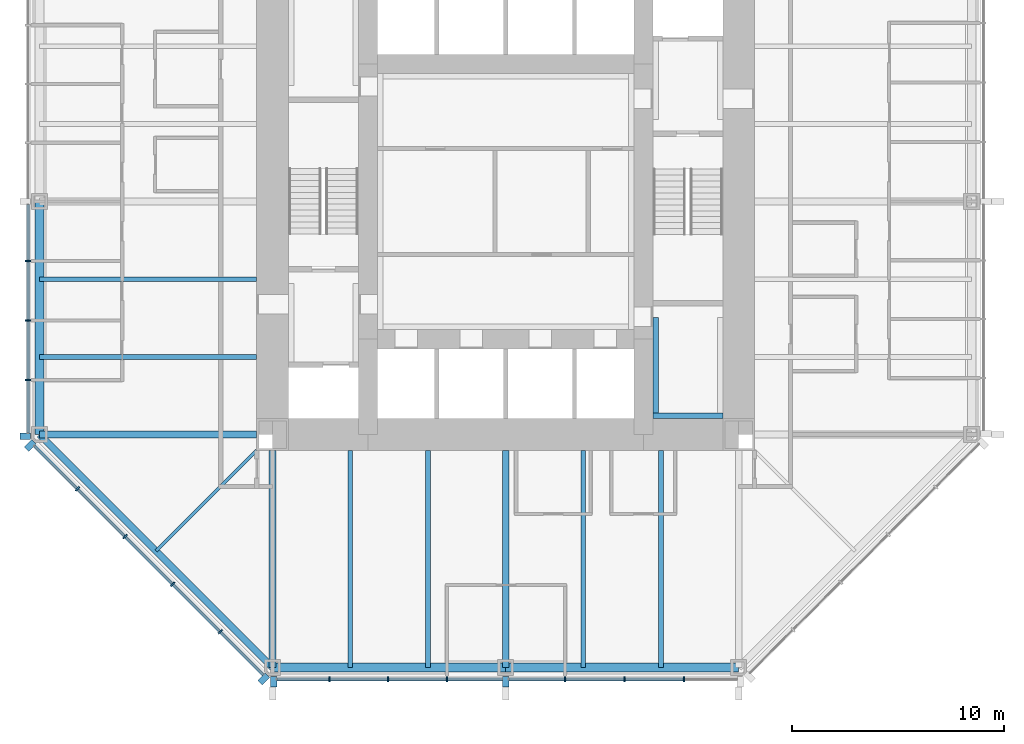
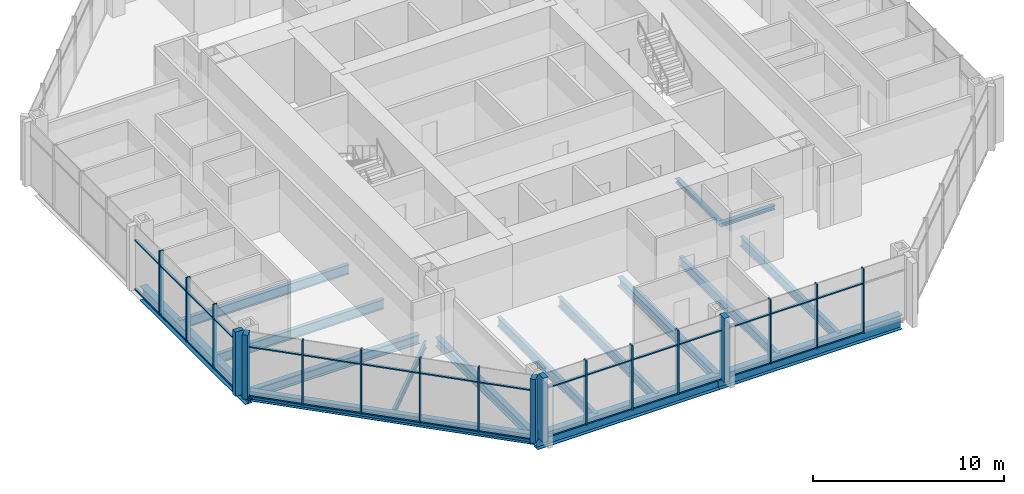
# One storey, part 2 of 14: 50 members, 16 beams, 3 elements without a shape of their own.
"""IFC4 building model written with IfcOpenShell, lengths in metres."""

from ifc_helpers import new_model, si_unit, direction, frame, origin, origin_2d, place, context, subcontext, project, spatial, rectangle, i_section, extrude, material, material_profile, profile_set, type_object, element, aggregate, save


model = new_model("IFC4")

# Units and contexts
model_context = context("Model", 3, precision=1e-05, world=origin(), true_north=direction((0.0, 1.0)))
body_context = subcontext(model_context, "Body", "Model", "MODEL_VIEW")
ifc_project = project(units=[si_unit("LENGTHUNIT", "METRE"), si_unit("AREAUNIT", "SQUARE_METRE"), si_unit("VOLUMEUNIT", "CUBIC_METRE"), si_unit("PLANEANGLEUNIT", "RADIAN"), si_unit("MASSUNIT", "GRAM", prefix="KILO")], contexts=[model_context])

# Site, building, storey
site_placement = place(None, origin())
site = spatial("IfcSite", under=ifc_project, at=site_placement, CompositionType="ELEMENT")
building_placement = place(site_placement, origin())
building = spatial("IfcBuilding", under=site, at=building_placement, Name="Trevanion Tower", CompositionType="ELEMENT")
storey_placement = place(building_placement, frame((0.0, 0.0, 100.800048828125)))
storey = spatial("IfcBuildingStorey", under=building, at=storey_placement, Name="L23", CompositionType="ELEMENT", Elevation=100.800048828125)

# Beams
ifc_material_1 = material(Name="Steel ASTM A992 Grade 50", Category="steel")
ifc_material_profile_1 = material_profile(ifc_material_1, i_section(OverallWidth=0.22900390625, OverallDepth=0.612060546875, WebThickness=0.011962890625, FlangeThickness=0.01953125, at=origin_2d()), Name="W24X84")
ifc_profile_set_1 = profile_set([ifc_material_profile_1], Name="Steel ASTM A992 Grade 50")
beam_type_1 = type_object("IfcBeamType", Name="B7 W24X84", PredefinedType="BEAM", material=ifc_profile_set_1)
for number, where, z_axis, x_axis, name in (
    (1, (-11.75, -3.666748046875, -0.49609375), (-1.0, 0.0, 0.0), (0.0, -1.0, 0.0), "B7 L23"),
    (2, (-11.75, -7.333251953125, -0.49609375), (-1.0, 0.0, 0.0), (0.0, -1.0, 0.0), "B7 L23"),
    (3, (-7.333251953125, -11.75, -0.49609375), (0.0, -1.0, 0.0), (1.0, 0.0, 0.0), "B7 L23"),
    (4, (-3.666748046875, -11.75, -0.49609375), (0.0, -1.0, 0.0), (1.0, 0.0, 0.0), "B7 L23"),
    (5, (3.666748046875, -11.75, -0.49609375), (0.0, -1.0, 0.0), (1.0, 0.0, 0.0), "B7 L23"),
    (6, (7.333251953125, -11.75, -0.49609375), (0.0, -1.0, 0.0), (1.0, 0.0, 0.0), "B7 L23"),
):
    element("IfcBeam", number, at=place(storey_placement, frame(where, z_axis=z_axis, x_axis=x_axis)), inside=storey, type_object=beam_type_1, Name=name, PredefinedType="BEAM", context=body_context, shape_type="SweptSolid", body=[
        extrude(i_section(OverallWidth=0.22900390625, OverallDepth=0.612060546875, WebThickness=0.011962890625, FlangeThickness=0.01953125, at=origin_2d()), origin(), (0.0, 0.0, 1.0), 10.25),
    ])
ifc_material_2 = material(Name="Steel ASTM A992 Grade 50", Category="steel")
ifc_material_profile_2 = material_profile(ifc_material_2, i_section(OverallWidth=0.15234375, OverallDepth=0.449462890625, WebThickness=0.007568359375, FlangeThickness=0.0107421875, at=origin_2d()), Name="W18X35")
ifc_profile_set_2 = profile_set([ifc_material_profile_2], Name="Steel ASTM A992 Grade 50")
beam_type_2 = type_object("IfcBeamType", Name="B8 W18X35", PredefinedType="BEAM", material=ifc_profile_set_2)
beam_1_placement = place(storey_placement, frame((-11.75, -11.75, -0.414794921875), z_axis=(-0.707106781187, -0.707106781187, 0.0), x_axis=(0.707106781187, -0.707106781187, 0.0)))
element("IfcBeam", 7, at=beam_1_placement, inside=storey, type_object=beam_type_2, Name="B8 L23", PredefinedType="BEAM", context=body_context, shape_type="SweptSolid", body=[
    extrude(i_section(OverallWidth=0.15234375, OverallDepth=0.449462890625, WebThickness=0.007568359375, FlangeThickness=0.0107421875, at=origin_2d()), origin(), (0.0, 0.0, 1.0), 6.717529296875),
])

# Curtain wall, members
ifc_material_3 = material(Name="Aluminium and glass", Category="aluminium")
curtain_wall_type = type_object("IfcCurtainWallType", Name="CW2 curtain wall", PredefinedType="USERDEFINED", material=ifc_material_3)
curtain_wall_1_placement = place(storey_placement, origin())
curtain_wall_1 = element("IfcCurtainWall", 8, at=curtain_wall_1_placement, inside=storey, type_object=curtain_wall_type, Name="CW2 L23 4", ObjectType="UNITISED CURTAIN WALL", PredefinedType="USERDEFINED")
ifc_material_4 = material(Name="Aluminium extrusion, anodised bronze", Category="aluminium")
ifc_material_profile_3 = material_profile(ifc_material_4, rectangle(XDim=0.074951171875, YDim=0.25, at=origin_2d()), Name="CW2 mullion")
ifc_profile_set_3 = profile_set([ifc_material_profile_3], Name="Aluminium extrusion, anodised bronze")
member_type_1 = type_object("IfcMemberType", Name="CW2 mullion", PredefinedType="MULLION", material=ifc_profile_set_3)
member_1_placement = place(storey_placement, frame((-22.550048828125, -2.806884765625, -0.18994140625), z_axis=(0.0, 0.0, 1.0), x_axis=(0.0, -1.0, 0.0)))
member_1 = element("IfcMember", 9, at=member_1_placement, type_object=member_type_1, Name="CW2 mullion 6", PredefinedType="MULLION", context=body_context, shape_type="SweptSolid", body=[
    extrude(rectangle(XDim=0.074951171875, YDim=0.25, at=origin_2d()), origin(), (0.0, 0.0, 1.0), 4.099853515625),
])
member_2_placement = place(storey_placement, frame((-22.550048828125, -5.614013671875, -0.18994140625), z_axis=(0.0, 0.0, 1.0), x_axis=(0.0, -1.0, 0.0)))
member_2 = element("IfcMember", 10, at=member_2_placement, type_object=member_type_1, Name="CW2 mullion 7", PredefinedType="MULLION", context=body_context, shape_type="SweptSolid", body=[
    extrude(rectangle(XDim=0.074951171875, YDim=0.25, at=origin_2d()), origin(), (0.0, 0.0, 1.0), 4.099853515625),
])
member_3_placement = place(storey_placement, frame((-22.550048828125, -8.4208984375, -0.18994140625), z_axis=(0.0, 0.0, 1.0), x_axis=(0.0, -1.0, 0.0)))
member_3 = element("IfcMember", 11, at=member_3_placement, type_object=member_type_1, Name="CW2 mullion 8", PredefinedType="MULLION", context=body_context, shape_type="SweptSolid", body=[
    extrude(rectangle(XDim=0.074951171875, YDim=0.25, at=origin_2d()), origin(), (0.0, 0.0, 1.0), 4.099853515625),
])

curtain_wall_2_placement = place(storey_placement, origin())
curtain_wall_2 = element("IfcCurtainWall", 12, at=curtain_wall_2_placement, inside=storey, type_object=curtain_wall_type, Name="CW2 L23 5", ObjectType="UNITISED CURTAIN WALL", PredefinedType="USERDEFINED")
member_4_placement = place(storey_placement, frame((-20.2119140625, -13.56591796875, -0.18994140625), z_axis=(0.0, 0.0, 1.0), x_axis=(0.707106781187, -0.707106781187, 0.0)))
member_4 = element("IfcMember", 13, at=member_4_placement, type_object=member_type_1, Name="CW2 mullion 2", PredefinedType="MULLION", context=body_context, shape_type="SweptSolid", body=[
    extrude(rectangle(XDim=0.074951171875, YDim=0.25, at=origin_2d()), origin(), (0.0, 0.0, 1.0), 4.099853515625),
])
member_5_placement = place(storey_placement, frame((-17.966064453125, -15.811767578125, -0.18994140625), z_axis=(0.0, 0.0, 1.0), x_axis=(0.707106781187, -0.707106781187, 0.0)))
member_5 = element("IfcMember", 14, at=member_5_placement, type_object=member_type_1, Name="CW2 mullion 3", PredefinedType="MULLION", context=body_context, shape_type="SweptSolid", body=[
    extrude(rectangle(XDim=0.074951171875, YDim=0.25, at=origin_2d()), origin(), (0.0, 0.0, 1.0), 4.099853515625),
])
member_6_placement = place(storey_placement, frame((-15.719970703125, -18.057861328125, -0.18994140625), z_axis=(0.0, 0.0, 1.0), x_axis=(0.707106781187, -0.707106781187, 0.0)))
member_6 = element("IfcMember", 15, at=member_6_placement, type_object=member_type_1, Name="CW2 mullion 4", PredefinedType="MULLION", context=body_context, shape_type="SweptSolid", body=[
    extrude(rectangle(XDim=0.074951171875, YDim=0.25, at=origin_2d()), origin(), (0.0, 0.0, 1.0), 4.099853515625),
])
member_7_placement = place(storey_placement, frame((-13.473876953125, -20.303955078125, -0.18994140625), z_axis=(0.0, 0.0, 1.0), x_axis=(0.707106781187, -0.707106781187, 0.0)))
member_7 = element("IfcMember", 16, at=member_7_placement, type_object=member_type_1, Name="CW2 mullion 5", PredefinedType="MULLION", context=body_context, shape_type="SweptSolid", body=[
    extrude(rectangle(XDim=0.074951171875, YDim=0.25, at=origin_2d()), origin(), (0.0, 0.0, 1.0), 4.099853515625),
])

curtain_wall_3_placement = place(storey_placement, origin())
curtain_wall_3 = element("IfcCurtainWall", 17, at=curtain_wall_3_placement, inside=storey, type_object=curtain_wall_type, Name="CW2 L23 6", ObjectType="UNITISED CURTAIN WALL", PredefinedType="USERDEFINED")
member_8_placement = place(storey_placement, frame((-8.323486328125, -22.550048828125, -0.18994140625), z_axis=(0.0, 0.0, 1.0), x_axis=(1.0, 0.0, 0.0)))
member_8 = element("IfcMember", 18, at=member_8_placement, type_object=member_type_1, Name="CW2 mullion 2", PredefinedType="MULLION", context=body_context, shape_type="SweptSolid", body=[
    extrude(rectangle(XDim=0.074951171875, YDim=0.25, at=origin_2d()), origin(), (0.0, 0.0, 1.0), 4.099853515625),
])
member_9_placement = place(storey_placement, frame((-5.548828125, -22.550048828125, -0.18994140625), z_axis=(0.0, 0.0, 1.0), x_axis=(1.0, 0.0, 0.0)))
member_9 = element("IfcMember", 19, at=member_9_placement, type_object=member_type_1, Name="CW2 mullion 3", PredefinedType="MULLION", context=body_context, shape_type="SweptSolid", body=[
    extrude(rectangle(XDim=0.074951171875, YDim=0.25, at=origin_2d()), origin(), (0.0, 0.0, 1.0), 4.099853515625),
])
member_10_placement = place(storey_placement, frame((-2.7744140625, -22.550048828125, -0.18994140625), z_axis=(0.0, 0.0, 1.0), x_axis=(1.0, 0.0, 0.0)))
member_10 = element("IfcMember", 20, at=member_10_placement, type_object=member_type_1, Name="CW2 mullion 4", PredefinedType="MULLION", context=body_context, shape_type="SweptSolid", body=[
    extrude(rectangle(XDim=0.074951171875, YDim=0.25, at=origin_2d()), origin(), (0.0, 0.0, 1.0), 4.099853515625),
])
member_11_placement = place(storey_placement, frame((2.806884765625, -22.550048828125, -0.18994140625), z_axis=(0.0, 0.0, 1.0), x_axis=(1.0, 0.0, 0.0)))
member_11 = element("IfcMember", 21, at=member_11_placement, type_object=member_type_1, Name="CW2 mullion 6", PredefinedType="MULLION", context=body_context, shape_type="SweptSolid", body=[
    extrude(rectangle(XDim=0.074951171875, YDim=0.25, at=origin_2d()), origin(), (0.0, 0.0, 1.0), 4.099853515625),
])
member_12_placement = place(storey_placement, frame((5.614013671875, -22.550048828125, -0.18994140625), z_axis=(0.0, 0.0, 1.0), x_axis=(1.0, 0.0, 0.0)))
member_12 = element("IfcMember", 22, at=member_12_placement, type_object=member_type_1, Name="CW2 mullion 7", PredefinedType="MULLION", context=body_context, shape_type="SweptSolid", body=[
    extrude(rectangle(XDim=0.074951171875, YDim=0.25, at=origin_2d()), origin(), (0.0, 0.0, 1.0), 4.099853515625),
])
member_13_placement = place(storey_placement, frame((8.4208984375, -22.550048828125, -0.18994140625), z_axis=(0.0, 0.0, 1.0), x_axis=(1.0, 0.0, 0.0)))
member_13 = element("IfcMember", 23, at=member_13_placement, type_object=member_type_1, Name="CW2 mullion 8", PredefinedType="MULLION", context=body_context, shape_type="SweptSolid", body=[
    extrude(rectangle(XDim=0.074951171875, YDim=0.25, at=origin_2d()), origin(), (0.0, 0.0, 1.0), 4.099853515625),
])

# Member
ifc_material_5 = material(Name="Aluminium extrusion, anodised bronze", Category="aluminium")
ifc_material_profile_4 = material_profile(ifc_material_5, rectangle(XDim=0.300048828125, YDim=0.5, at=origin_2d()), Name="CW2 pier mullion")
ifc_profile_set_4 = profile_set([ifc_material_profile_4], Name="Aluminium extrusion, anodised bronze")
member_type_2 = type_object("IfcMemberType", Name="CW2 pier mullion", PredefinedType="MULLION", material=ifc_profile_set_4)
member_14_placement = place(storey_placement, frame((-22.675048828125, -11.077880859375, -0.18994140625), z_axis=(0.0, 0.0, 1.0), x_axis=(0.0, -1.0, 0.0)))
member_14 = element("IfcMember", 24, at=member_14_placement, type_object=member_type_2, Name="CW2 pier mullion 9", PredefinedType="MULLION", context=body_context, shape_type="SweptSolid", body=[
    extrude(rectangle(XDim=0.300048828125, YDim=0.5, at=origin_2d()), origin(), (0.0, 0.0, 1.0), 4.099853515625),
])

member_15_placement = place(storey_placement, frame((-22.4404296875, -11.51416015625, -0.18994140625), z_axis=(0.0, 0.0, 1.0), x_axis=(0.707106781187, -0.707106781187, 0.0)))
member_15 = element("IfcMember", 25, at=member_15_placement, type_object=member_type_2, Name="CW2 pier mullion 1", PredefinedType="MULLION", context=body_context, shape_type="SweptSolid", body=[
    extrude(rectangle(XDim=0.300048828125, YDim=0.5, at=origin_2d()), origin(), (0.0, 0.0, 1.0), 4.099853515625),
])

member_16_placement = place(storey_placement, frame((-11.42236328125, -22.5322265625, -0.18994140625), z_axis=(0.0, 0.0, 1.0), x_axis=(0.707106781187, -0.707106781187, 0.0)))
member_16 = element("IfcMember", 26, at=member_16_placement, type_object=member_type_2, Name="CW2 pier mullion 6", PredefinedType="MULLION", context=body_context, shape_type="SweptSolid", body=[
    extrude(rectangle(XDim=0.300048828125, YDim=0.5, at=origin_2d()), origin(), (0.0, 0.0, 1.0), 4.099853515625),
])

member_17_placement = place(storey_placement, frame((-10.94775390625, -22.675048828125, -0.18994140625), z_axis=(0.0, 0.0, 1.0), x_axis=(1.0, 0.0, 0.0)))
member_17 = element("IfcMember", 27, at=member_17_placement, type_object=member_type_2, Name="CW2 pier mullion 1", PredefinedType="MULLION", context=body_context, shape_type="SweptSolid", body=[
    extrude(rectangle(XDim=0.300048828125, YDim=0.5, at=origin_2d()), origin(), (0.0, 0.0, 1.0), 4.099853515625),
])

member_18_placement = place(storey_placement, frame((0.0, -22.675048828125, -0.18994140625), z_axis=(0.0, 0.0, 1.0), x_axis=(1.0, 0.0, 0.0)))
member_18 = element("IfcMember", 28, at=member_18_placement, type_object=member_type_2, Name="CW2 pier mullion 5", PredefinedType="MULLION", context=body_context, shape_type="SweptSolid", body=[
    extrude(rectangle(XDim=0.300048828125, YDim=0.5, at=origin_2d()), origin(), (0.0, 0.0, 1.0), 4.099853515625),
])

ifc_material_6 = material(Name="Aluminium extrusion, anodised bronze", Category="aluminium")
ifc_material_profile_5 = material_profile(ifc_material_6, rectangle(XDim=0.14990234375, YDim=0.074951171875, at=origin_2d()), Name="CW2 transom")
ifc_profile_set_5 = profile_set([ifc_material_profile_5], Name="Aluminium extrusion, anodised bronze")
member_type_3 = type_object("IfcMemberType", Name="CW2 transom", PredefinedType="USERDEFINED", material=ifc_profile_set_5)
member_19_placement = place(storey_placement, frame((-22.550048828125, -0.14990234375, -0.152587890625), z_axis=(0.0, -1.0, 0.0), x_axis=(1.0, 0.0, 0.0)))
member_19 = element("IfcMember", 29, at=member_19_placement, type_object=member_type_3, Name="CW2 transom 5.1", ObjectType="TRANSOM", PredefinedType="USERDEFINED", context=body_context, shape_type="SweptSolid", body=[
    extrude(rectangle(XDim=0.14990234375, YDim=0.074951171875, at=origin_2d()), origin(), (0.0, 0.0, 1.0), 2.619384765625),
])

member_20_placement = place(storey_placement, frame((-22.550048828125, -0.14990234375, 2.9599609375), z_axis=(0.0, -1.0, 0.0), x_axis=(1.0, 0.0, 0.0)))
member_20 = element("IfcMember", 30, at=member_20_placement, type_object=member_type_3, Name="CW2 transom 5.2", ObjectType="TRANSOM", PredefinedType="USERDEFINED", context=body_context, shape_type="SweptSolid", body=[
    extrude(rectangle(XDim=0.14990234375, YDim=0.074951171875, at=origin_2d()), origin(), (0.0, 0.0, 1.0), 2.619384765625),
])

member_21_placement = place(storey_placement, frame((-22.550048828125, -2.844482421875, -0.152587890625), z_axis=(0.0, -1.0, 0.0), x_axis=(1.0, 0.0, 0.0)))
member_21 = element("IfcMember", 31, at=member_21_placement, type_object=member_type_3, Name="CW2 transom 6.1", ObjectType="TRANSOM", PredefinedType="USERDEFINED", context=body_context, shape_type="SweptSolid", body=[
    extrude(rectangle(XDim=0.14990234375, YDim=0.074951171875, at=origin_2d()), origin(), (0.0, 0.0, 1.0), 2.73193359375),
])

member_22_placement = place(storey_placement, frame((-22.550048828125, -2.844482421875, 2.9599609375), z_axis=(0.0, -1.0, 0.0), x_axis=(1.0, 0.0, 0.0)))
member_22 = element("IfcMember", 32, at=member_22_placement, type_object=member_type_3, Name="CW2 transom 6.2", ObjectType="TRANSOM", PredefinedType="USERDEFINED", context=body_context, shape_type="SweptSolid", body=[
    extrude(rectangle(XDim=0.14990234375, YDim=0.074951171875, at=origin_2d()), origin(), (0.0, 0.0, 1.0), 2.73193359375),
])

member_23_placement = place(storey_placement, frame((-22.550048828125, -5.6513671875, -0.152587890625), z_axis=(0.0, -1.0, 0.0), x_axis=(1.0, 0.0, 0.0)))
member_23 = element("IfcMember", 33, at=member_23_placement, type_object=member_type_3, Name="CW2 transom 7.1", ObjectType="TRANSOM", PredefinedType="USERDEFINED", context=body_context, shape_type="SweptSolid", body=[
    extrude(rectangle(XDim=0.14990234375, YDim=0.074951171875, at=origin_2d()), origin(), (0.0, 0.0, 1.0), 2.73193359375),
])

member_24_placement = place(storey_placement, frame((-22.550048828125, -5.6513671875, 2.9599609375), z_axis=(0.0, -1.0, 0.0), x_axis=(1.0, 0.0, 0.0)))
member_24 = element("IfcMember", 34, at=member_24_placement, type_object=member_type_3, Name="CW2 transom 7.2", ObjectType="TRANSOM", PredefinedType="USERDEFINED", context=body_context, shape_type="SweptSolid", body=[
    extrude(rectangle(XDim=0.14990234375, YDim=0.074951171875, at=origin_2d()), origin(), (0.0, 0.0, 1.0), 2.73193359375),
])

member_25_placement = place(storey_placement, frame((-22.550048828125, -8.45849609375, -0.152587890625), z_axis=(0.0, -1.0, 0.0), x_axis=(1.0, 0.0, 0.0)))
member_25 = element("IfcMember", 35, at=member_25_placement, type_object=member_type_3, Name="CW2 transom 8.1", ObjectType="TRANSOM", PredefinedType="USERDEFINED", context=body_context, shape_type="SweptSolid", body=[
    extrude(rectangle(XDim=0.14990234375, YDim=0.074951171875, at=origin_2d()), origin(), (0.0, 0.0, 1.0), 2.46923828125),
])

member_26_placement = place(storey_placement, frame((-22.550048828125, -8.45849609375, 2.9599609375), z_axis=(0.0, -1.0, 0.0), x_axis=(1.0, 0.0, 0.0)))
member_26 = element("IfcMember", 36, at=member_26_placement, type_object=member_type_3, Name="CW2 transom 8.2", ObjectType="TRANSOM", PredefinedType="USERDEFINED", context=body_context, shape_type="SweptSolid", body=[
    extrude(rectangle(XDim=0.14990234375, YDim=0.074951171875, at=origin_2d()), origin(), (0.0, 0.0, 1.0), 2.46923828125),
])

aggregate(curtain_wall_1, [member_1, member_2, member_3, member_14, member_19, member_20, member_21, member_22, member_23, member_24, member_25, member_26])

member_27_placement = place(storey_placement, frame((-22.245849609375, -11.531982421875, -0.152587890625), z_axis=(0.707106781187, -0.707106781187, 0.0), x_axis=(0.707106781187, 0.707106781187, 0.0)))
member_27 = element("IfcMember", 37, at=member_27_placement, type_object=member_type_3, Name="CW2 transom 1.1", ObjectType="TRANSOM", PredefinedType="USERDEFINED", context=body_context, shape_type="SweptSolid", body=[
    extrude(rectangle(XDim=0.14990234375, YDim=0.074951171875, at=origin_2d()), origin(), (0.0, 0.0, 1.0), 2.8388671875),
])

member_28_placement = place(storey_placement, frame((-22.245849609375, -11.531982421875, 2.9599609375), z_axis=(0.707106781187, -0.707106781187, 0.0), x_axis=(0.707106781187, 0.707106781187, 0.0)))
member_28 = element("IfcMember", 38, at=member_28_placement, type_object=member_type_3, Name="CW2 transom 1.2", ObjectType="TRANSOM", PredefinedType="USERDEFINED", context=body_context, shape_type="SweptSolid", body=[
    extrude(rectangle(XDim=0.14990234375, YDim=0.074951171875, at=origin_2d()), origin(), (0.0, 0.0, 1.0), 2.8388671875),
])

member_29_placement = place(storey_placement, frame((-20.185546875, -13.59228515625, -0.152587890625), z_axis=(0.707106781187, -0.707106781187, 0.0), x_axis=(0.707106781187, 0.707106781187, 0.0)))
member_29 = element("IfcMember", 39, at=member_29_placement, type_object=member_type_3, Name="CW2 transom 2.1", ObjectType="TRANSOM", PredefinedType="USERDEFINED", context=body_context, shape_type="SweptSolid", body=[
    extrude(rectangle(XDim=0.14990234375, YDim=0.074951171875, at=origin_2d()), origin(), (0.0, 0.0, 1.0), 3.1015625),
])

member_30_placement = place(storey_placement, frame((-20.185546875, -13.59228515625, 2.9599609375), z_axis=(0.707106781187, -0.707106781187, 0.0), x_axis=(0.707106781187, 0.707106781187, 0.0)))
member_30 = element("IfcMember", 40, at=member_30_placement, type_object=member_type_3, Name="CW2 transom 2.2", ObjectType="TRANSOM", PredefinedType="USERDEFINED", context=body_context, shape_type="SweptSolid", body=[
    extrude(rectangle(XDim=0.14990234375, YDim=0.074951171875, at=origin_2d()), origin(), (0.0, 0.0, 1.0), 3.1015625),
])

member_31_placement = place(storey_placement, frame((-17.939453125, -15.83837890625, -0.152587890625), z_axis=(0.707106781187, -0.707106781187, 0.0), x_axis=(0.707106781187, 0.707106781187, 0.0)))
member_31 = element("IfcMember", 41, at=member_31_placement, type_object=member_type_3, Name="CW2 transom 3.1", ObjectType="TRANSOM", PredefinedType="USERDEFINED", context=body_context, shape_type="SweptSolid", body=[
    extrude(rectangle(XDim=0.14990234375, YDim=0.074951171875, at=origin_2d()), origin(), (0.0, 0.0, 1.0), 3.1015625),
])

member_32_placement = place(storey_placement, frame((-17.939453125, -15.83837890625, 2.9599609375), z_axis=(0.707106781187, -0.707106781187, 0.0), x_axis=(0.707106781187, 0.707106781187, 0.0)))
member_32 = element("IfcMember", 42, at=member_32_placement, type_object=member_type_3, Name="CW2 transom 3.2", ObjectType="TRANSOM", PredefinedType="USERDEFINED", context=body_context, shape_type="SweptSolid", body=[
    extrude(rectangle(XDim=0.14990234375, YDim=0.074951171875, at=origin_2d()), origin(), (0.0, 0.0, 1.0), 3.1015625),
])

member_33_placement = place(storey_placement, frame((-15.693359375, -18.08447265625, -0.152587890625), z_axis=(0.707106781187, -0.707106781187, 0.0), x_axis=(0.707106781187, 0.707106781187, 0.0)))
member_33 = element("IfcMember", 43, at=member_33_placement, type_object=member_type_3, Name="CW2 transom 4.1", ObjectType="TRANSOM", PredefinedType="USERDEFINED", context=body_context, shape_type="SweptSolid", body=[
    extrude(rectangle(XDim=0.14990234375, YDim=0.074951171875, at=origin_2d()), origin(), (0.0, 0.0, 1.0), 3.10107421875),
])

member_34_placement = place(storey_placement, frame((-15.693359375, -18.08447265625, 2.9599609375), z_axis=(0.707106781187, -0.707106781187, 0.0), x_axis=(0.707106781187, 0.707106781187, 0.0)))
member_34 = element("IfcMember", 44, at=member_34_placement, type_object=member_type_3, Name="CW2 transom 4.2", ObjectType="TRANSOM", PredefinedType="USERDEFINED", context=body_context, shape_type="SweptSolid", body=[
    extrude(rectangle(XDim=0.14990234375, YDim=0.074951171875, at=origin_2d()), origin(), (0.0, 0.0, 1.0), 3.10107421875),
])

member_35_placement = place(storey_placement, frame((-13.447509765625, -20.33056640625, -0.152587890625), z_axis=(0.707149778163, -0.707063781595, 0.0), x_axis=(0.707063781595, 0.707149778163, 0.0)))
member_35 = element("IfcMember", 45, at=member_35_placement, type_object=member_type_3, Name="CW2 transom 5.1", ObjectType="TRANSOM", PredefinedType="USERDEFINED", context=body_context, shape_type="SweptSolid", body=[
    extrude(rectangle(XDim=0.14990234375, YDim=0.074951171875, at=origin_2d()), origin(), (0.0, 0.0, 1.0), 2.8388671875),
])

member_36_placement = place(storey_placement, frame((-13.447509765625, -20.33056640625, 2.9599609375), z_axis=(0.707149778163, -0.707063781595, 0.0), x_axis=(0.707063781595, 0.707149778163, 0.0)))
member_36 = element("IfcMember", 46, at=member_36_placement, type_object=member_type_3, Name="CW2 transom 5.2", ObjectType="TRANSOM", PredefinedType="USERDEFINED", context=body_context, shape_type="SweptSolid", body=[
    extrude(rectangle(XDim=0.14990234375, YDim=0.074951171875, at=origin_2d()), origin(), (0.0, 0.0, 1.0), 2.8388671875),
])

aggregate(curtain_wall_2, [member_15, member_4, member_5, member_6, member_7, member_16, member_27, member_28, member_29, member_30, member_31, member_32, member_33, member_34, member_35, member_36])

member_37_placement = place(storey_placement, frame((-10.7978515625, -22.550048828125, -0.152587890625), z_axis=(1.0, 0.0, 0.0), x_axis=(0.0, 1.0, 0.0)))
member_37 = element("IfcMember", 47, at=member_37_placement, type_object=member_type_3, Name="CW2 transom 1.1", ObjectType="TRANSOM", PredefinedType="USERDEFINED", context=body_context, shape_type="SweptSolid", body=[
    extrude(rectangle(XDim=0.14990234375, YDim=0.074951171875, at=origin_2d()), origin(), (0.0, 0.0, 1.0), 2.43701171875),
])

member_38_placement = place(storey_placement, frame((-10.7978515625, -22.550048828125, 2.9599609375), z_axis=(1.0, 0.0, 0.0), x_axis=(0.0, 1.0, 0.0)))
member_38 = element("IfcMember", 48, at=member_38_placement, type_object=member_type_3, Name="CW2 transom 1.2", ObjectType="TRANSOM", PredefinedType="USERDEFINED", context=body_context, shape_type="SweptSolid", body=[
    extrude(rectangle(XDim=0.14990234375, YDim=0.074951171875, at=origin_2d()), origin(), (0.0, 0.0, 1.0), 2.43701171875),
])

member_39_placement = place(storey_placement, frame((-8.285888671875, -22.550048828125, -0.152587890625), z_axis=(1.0, 0.0, 0.0), x_axis=(0.0, 1.0, 0.0)))
member_39 = element("IfcMember", 49, at=member_39_placement, type_object=member_type_3, Name="CW2 transom 2.1", ObjectType="TRANSOM", PredefinedType="USERDEFINED", context=body_context, shape_type="SweptSolid", body=[
    extrude(rectangle(XDim=0.14990234375, YDim=0.074951171875, at=origin_2d()), origin(), (0.0, 0.0, 1.0), 2.699462890625),
])

member_40_placement = place(storey_placement, frame((-8.285888671875, -22.550048828125, 2.9599609375), z_axis=(1.0, 0.0, 0.0), x_axis=(0.0, 1.0, 0.0)))
member_40 = element("IfcMember", 50, at=member_40_placement, type_object=member_type_3, Name="CW2 transom 2.2", ObjectType="TRANSOM", PredefinedType="USERDEFINED", context=body_context, shape_type="SweptSolid", body=[
    extrude(rectangle(XDim=0.14990234375, YDim=0.074951171875, at=origin_2d()), origin(), (0.0, 0.0, 1.0), 2.699462890625),
])

member_41_placement = place(storey_placement, frame((-5.511474609375, -22.550048828125, -0.152587890625), z_axis=(1.0, 0.0, 0.0), x_axis=(0.0, 1.0, 0.0)))
member_41 = element("IfcMember", 51, at=member_41_placement, type_object=member_type_3, Name="CW2 transom 3.1", ObjectType="TRANSOM", PredefinedType="USERDEFINED", context=body_context, shape_type="SweptSolid", body=[
    extrude(rectangle(XDim=0.14990234375, YDim=0.074951171875, at=origin_2d()), origin(), (0.0, 0.0, 1.0), 2.699462890625),
])

member_42_placement = place(storey_placement, frame((-5.511474609375, -22.550048828125, 2.9599609375), z_axis=(1.0, 0.0, 0.0), x_axis=(0.0, 1.0, 0.0)))
member_42 = element("IfcMember", 52, at=member_42_placement, type_object=member_type_3, Name="CW2 transom 3.2", ObjectType="TRANSOM", PredefinedType="USERDEFINED", context=body_context, shape_type="SweptSolid", body=[
    extrude(rectangle(XDim=0.14990234375, YDim=0.074951171875, at=origin_2d()), origin(), (0.0, 0.0, 1.0), 2.699462890625),
])

member_43_placement = place(storey_placement, frame((-2.737060546875, -22.550048828125, -0.152587890625), z_axis=(1.0, 0.0, 0.0), x_axis=(0.0, 1.0, 0.0)))
member_43 = element("IfcMember", 53, at=member_43_placement, type_object=member_type_3, Name="CW2 transom 4.1", ObjectType="TRANSOM", PredefinedType="USERDEFINED", context=body_context, shape_type="SweptSolid", body=[
    extrude(rectangle(XDim=0.14990234375, YDim=0.074951171875, at=origin_2d()), origin(), (0.0, 0.0, 1.0), 2.587158203125),
])

member_44_placement = place(storey_placement, frame((-2.737060546875, -22.550048828125, 2.9599609375), z_axis=(1.0, 0.0, 0.0), x_axis=(0.0, 1.0, 0.0)))
member_44 = element("IfcMember", 54, at=member_44_placement, type_object=member_type_3, Name="CW2 transom 4.2", ObjectType="TRANSOM", PredefinedType="USERDEFINED", context=body_context, shape_type="SweptSolid", body=[
    extrude(rectangle(XDim=0.14990234375, YDim=0.074951171875, at=origin_2d()), origin(), (0.0, 0.0, 1.0), 2.587158203125),
])

member_45_placement = place(storey_placement, frame((0.14990234375, -22.550048828125, -0.152587890625), z_axis=(1.0, 0.0, 0.0), x_axis=(0.0, 1.0, 0.0)))
member_45 = element("IfcMember", 55, at=member_45_placement, type_object=member_type_3, Name="CW2 transom 5.1", ObjectType="TRANSOM", PredefinedType="USERDEFINED", context=body_context, shape_type="SweptSolid", body=[
    extrude(rectangle(XDim=0.14990234375, YDim=0.074951171875, at=origin_2d()), origin(), (0.0, 0.0, 1.0), 2.619384765625),
])

member_46_placement = place(storey_placement, frame((0.14990234375, -22.550048828125, 2.9599609375), z_axis=(1.0, 0.0, 0.0), x_axis=(0.0, 1.0, 0.0)))
member_46 = element("IfcMember", 56, at=member_46_placement, type_object=member_type_3, Name="CW2 transom 5.2", ObjectType="TRANSOM", PredefinedType="USERDEFINED", context=body_context, shape_type="SweptSolid", body=[
    extrude(rectangle(XDim=0.14990234375, YDim=0.074951171875, at=origin_2d()), origin(), (0.0, 0.0, 1.0), 2.619384765625),
])

member_47_placement = place(storey_placement, frame((2.844482421875, -22.550048828125, -0.152587890625), z_axis=(1.0, 0.0, 0.0), x_axis=(0.0, 1.0, 0.0)))
member_47 = element("IfcMember", 57, at=member_47_placement, type_object=member_type_3, Name="CW2 transom 6.1", ObjectType="TRANSOM", PredefinedType="USERDEFINED", context=body_context, shape_type="SweptSolid", body=[
    extrude(rectangle(XDim=0.14990234375, YDim=0.074951171875, at=origin_2d()), origin(), (0.0, 0.0, 1.0), 2.73193359375),
])

member_48_placement = place(storey_placement, frame((2.844482421875, -22.550048828125, 2.9599609375), z_axis=(1.0, 0.0, 0.0), x_axis=(0.0, 1.0, 0.0)))
member_48 = element("IfcMember", 58, at=member_48_placement, type_object=member_type_3, Name="CW2 transom 6.2", ObjectType="TRANSOM", PredefinedType="USERDEFINED", context=body_context, shape_type="SweptSolid", body=[
    extrude(rectangle(XDim=0.14990234375, YDim=0.074951171875, at=origin_2d()), origin(), (0.0, 0.0, 1.0), 2.73193359375),
])

member_49_placement = place(storey_placement, frame((5.6513671875, -22.550048828125, -0.152587890625), z_axis=(1.0, 0.0, 0.0), x_axis=(0.0, 1.0, 0.0)))
member_49 = element("IfcMember", 59, at=member_49_placement, type_object=member_type_3, Name="CW2 transom 7.1", ObjectType="TRANSOM", PredefinedType="USERDEFINED", context=body_context, shape_type="SweptSolid", body=[
    extrude(rectangle(XDim=0.14990234375, YDim=0.074951171875, at=origin_2d()), origin(), (0.0, 0.0, 1.0), 2.73193359375),
])

member_50_placement = place(storey_placement, frame((5.6513671875, -22.550048828125, 2.9599609375), z_axis=(1.0, 0.0, 0.0), x_axis=(0.0, 1.0, 0.0)))
member_50 = element("IfcMember", 60, at=member_50_placement, type_object=member_type_3, Name="CW2 transom 7.2", ObjectType="TRANSOM", PredefinedType="USERDEFINED", context=body_context, shape_type="SweptSolid", body=[
    extrude(rectangle(XDim=0.14990234375, YDim=0.074951171875, at=origin_2d()), origin(), (0.0, 0.0, 1.0), 2.73193359375),
])

aggregate(curtain_wall_3, [member_17, member_8, member_9, member_10, member_18, member_11, member_12, member_13, member_37, member_38, member_39, member_40, member_41, member_42, member_43, member_44, member_45, member_46, member_47, member_48, member_49, member_50])

# Beams
ifc_material_7 = material(Name="Steel ASTM A992 Grade 50", Category="steel")
ifc_material_profile_6 = material_profile(ifc_material_7, i_section(OverallWidth=0.320068359375, OverallDepth=0.584228515625, WebThickness=0.023193359375, FlangeThickness=0.04150390625, at=origin_2d()), Name="W21X201")
ifc_profile_set_6 = profile_set([ifc_material_profile_6], Name="Steel ASTM A992 Grade 50")
beam_type_3 = type_object("IfcBeamType", Name="G4 W21X201", PredefinedType="BEAM", material=ifc_profile_set_6)
for number, where, z_axis, x_axis, name in (
    (61, (-11.75, -11.0, -0.482177734375), (-1.0, 0.0, 0.0), (0.0, -1.0, 0.0), "G4 L23"),
    (62, (-11.0, -11.75, -0.482177734375), (0.0, -1.0, 0.0), (1.0, 0.0, 0.0), "G4 L23"),
    (63, (0.0, -11.75, -0.482177734375), (0.0, -1.0, 0.0), (1.0, 0.0, 0.0), "G4 L23"),
):
    element("IfcBeam", number, at=place(storey_placement, frame(where, z_axis=z_axis, x_axis=x_axis)), inside=storey, type_object=beam_type_3, Name=name, PredefinedType="BEAM", context=body_context, shape_type="SweptSolid", body=[
        extrude(i_section(OverallWidth=0.320068359375, OverallDepth=0.584228515625, WebThickness=0.023193359375, FlangeThickness=0.04150390625, at=origin_2d()), origin(), (0.0, 0.0, 1.0), 10.25),
    ])
ifc_material_8 = material(Name="Steel ASTM A992 Grade 50", Category="steel")
ifc_material_profile_7 = material_profile(ifc_material_8, i_section(OverallWidth=0.256591796875, OverallDepth=0.26416015625, WebThickness=0.011962890625, FlangeThickness=0.01953125, at=origin_2d()), Name="W10X68")
ifc_profile_set_7 = profile_set([ifc_material_profile_7], Name="Steel ASTM A992 Grade 50")
beam_type_4 = type_object("IfcBeamType", Name="LB1 W10X68", PredefinedType="BEAM", material=ifc_profile_set_7)
beam_2_placement = place(storey_placement, frame((7.078369140625, -10.25, -0.33203125), z_axis=(0.0, 1.0, 0.0), x_axis=(-1.0, 0.0, 0.0)))
element("IfcBeam", 64, at=beam_2_placement, inside=storey, type_object=beam_type_4, Name="LB1 L23", PredefinedType="BEAM", context=body_context, shape_type="SweptSolid", body=[
    extrude(i_section(OverallWidth=0.256591796875, OverallDepth=0.26416015625, WebThickness=0.011962890625, FlangeThickness=0.01953125, at=origin_2d()), origin(), (0.0, 0.0, 1.0), 4.77490234375),
])
beam_3_placement = place(storey_placement, frame((6.949951171875, -10.12158203125, -0.33203125), z_axis=(1.0, 0.0, 0.0), x_axis=(0.0, 1.0, 0.0)))
element("IfcBeam", 65, at=beam_3_placement, inside=storey, type_object=beam_type_4, Name="LB1 L23", PredefinedType="BEAM", context=body_context, shape_type="SweptSolid", body=[
    extrude(i_section(OverallWidth=0.256591796875, OverallDepth=0.26416015625, WebThickness=0.011962890625, FlangeThickness=0.01953125, at=origin_2d()), origin(), (0.0, 0.0, 1.0), 3.300048828125),
])
ifc_material_9 = material(Name="Steel ASTM A992 Grade 50", Category="steel")
ifc_material_profile_8 = material_profile(ifc_material_9, i_section(OverallWidth=0.419189453125, OverallDepth=0.927001953125, WebThickness=0.019287109375, FlangeThickness=0.031982421875, at=origin_2d()), Name="W36X231")
ifc_profile_set_8 = profile_set([ifc_material_profile_8], Name="Steel ASTM A992 Grade 50")
beam_type_5 = type_object("IfcBeamType", Name="SB4 W36X231", PredefinedType="SPANDREL", material=ifc_profile_set_8)
for number, where, z_axis, x_axis, name in (
    (66, (-22.0, 0.0, -0.653564453125), (0.0, -1.0, 0.0), (1.0, 0.0, 0.0), "SB4 L23"),
    (67, (-11.0, -22.0, -0.653564453125), (1.0, 0.0, 0.0), (0.0, 1.0, 0.0), "SB4 L23"),
    (68, (0.0, -22.0, -0.653564453125), (1.0, 0.0, 0.0), (0.0, 1.0, 0.0), "SB4 L23"),
):
    element("IfcBeam", number, at=place(storey_placement, frame(where, z_axis=z_axis, x_axis=x_axis)), inside=storey, type_object=beam_type_5, Name=name, PredefinedType="SPANDREL", context=body_context, shape_type="SweptSolid", body=[
        extrude(i_section(OverallWidth=0.419189453125, OverallDepth=0.927001953125, WebThickness=0.019287109375, FlangeThickness=0.031982421875, at=origin_2d()), origin(), (0.0, 0.0, 1.0), 11.0),
    ])
ifc_material_10 = material(Name="Steel ASTM A992 Grade 50", Category="steel")
ifc_material_profile_9 = material_profile(ifc_material_10, i_section(OverallWidth=0.32763671875, OverallDepth=0.62744140625, WebThickness=0.0166015625, FlangeThickness=0.027587890625, at=origin_2d()), Name="W24X146")
ifc_profile_set_9 = profile_set([ifc_material_profile_9], Name="Steel ASTM A992 Grade 50")
beam_type_6 = type_object("IfcBeamType", Name="SB5 W24X146", PredefinedType="SPANDREL", material=ifc_profile_set_9)
beam_4_placement = place(storey_placement, frame((-22.0, -11.0, -0.503662109375), z_axis=(0.707106781187, -0.707106781187, 0.0), x_axis=(0.707106781187, 0.707106781187, 0.0)))
element("IfcBeam", 69, at=beam_4_placement, inside=storey, type_object=beam_type_6, Name="SB5 L23", PredefinedType="SPANDREL", context=body_context, shape_type="SweptSolid", body=[
    extrude(i_section(OverallWidth=0.32763671875, OverallDepth=0.62744140625, WebThickness=0.0166015625, FlangeThickness=0.027587890625, at=origin_2d()), origin(), (0.0, 0.0, 1.0), 15.556396484375),
])

save(model, "model.ifc")
